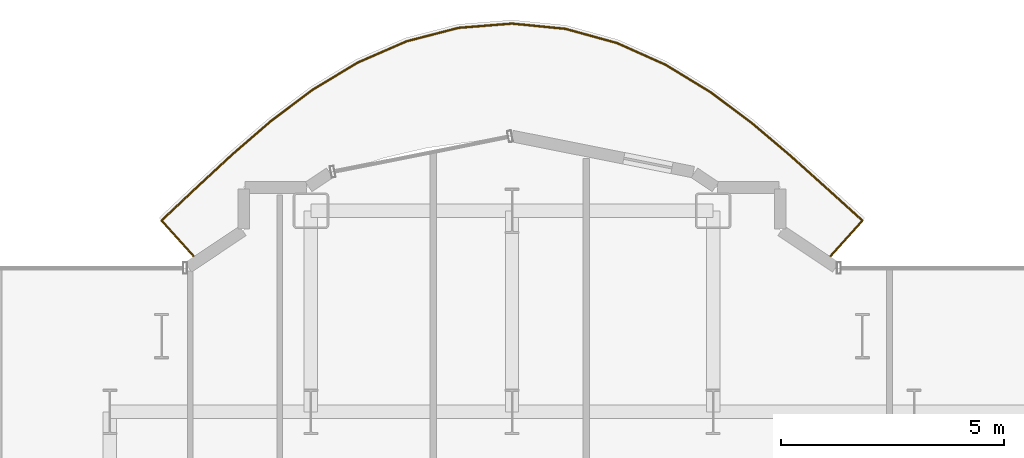
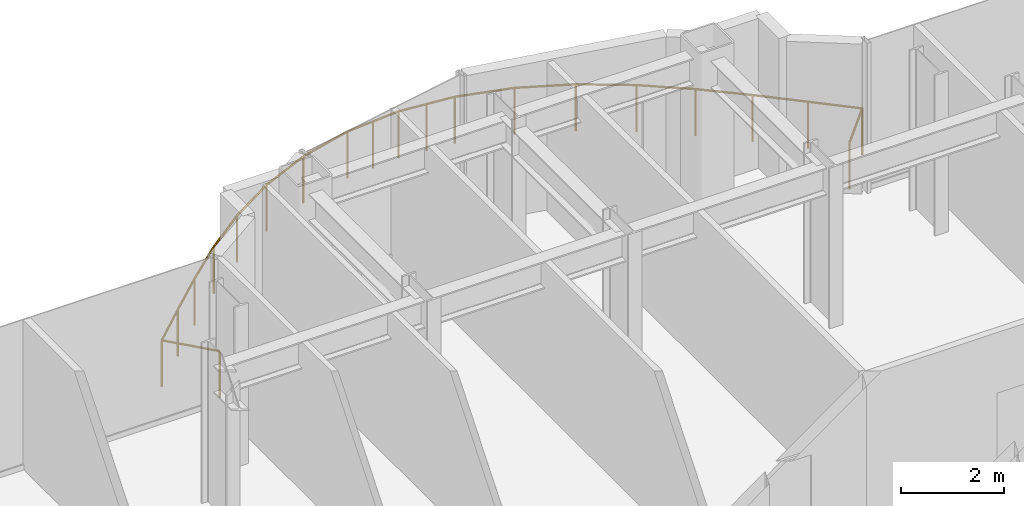
# One storey, part 29 of 29: 1 railing.
"""IFC4 building model written with IfcOpenShell, lengths in metres."""

from ifc_helpers import new_model, si_unit, direction, frame, origin, origin_2d, place, context, subcontext, project, spatial, circle, extrude, material, type_object, element, save


model = new_model("IFC4")

# Units and contexts
model_context = context("Model", 3, precision=1e-05, world=origin(), true_north=direction((0.0, 1.0)))
body_context = subcontext(model_context, "Body", "Model", "MODEL_VIEW")
ifc_project = project(units=[si_unit("LENGTHUNIT", "METRE"), si_unit("AREAUNIT", "SQUARE_METRE"), si_unit("VOLUMEUNIT", "CUBIC_METRE"), si_unit("PLANEANGLEUNIT", "RADIAN"), si_unit("MASSUNIT", "GRAM", prefix="KILO")], contexts=[model_context])

# Site, building, storey
site_placement = place(None, origin())
site = spatial("IfcSite", under=ifc_project, at=site_placement, CompositionType="ELEMENT")
building_placement = place(site_placement, origin())
building = spatial("IfcBuilding", under=site, at=building_placement, Name="Nefas-Gora Pilgrimage Tower", CompositionType="ELEMENT")
storey_placement = place(building_placement, frame((0.0, 0.0, 113.60009765625)))
storey = spatial("IfcBuildingStorey", under=building, at=storey_placement, Name="L27", CompositionType="ELEMENT", Elevation=113.60009765625)

# Railing
ifc_material = material(Name="Laminated safety glass and stainless steel", Category="steel")
railing_type = type_object("IfcRailingType", Name="RLG-BAL-1100", PredefinedType="BALUSTRADE", material=ifc_material)
railing_placement = place(storey_placement, frame((4.802490234375, 21.402587890625, 0.0)))
element("IfcRailing", 1, at=railing_placement, inside=storey, type_object=railing_type, Name="L27 Wave Balcony Balustrade N1", PredefinedType="BALUSTRADE", context=body_context, shape_type="SweptSolid", body=[
    extrude(circle(Radius=0.02392578125, at=origin_2d()), frame((0.0, 0.0, 1.09619140625), z_axis=(0.669113274241, 0.74316043102, 0.0), x_axis=(-0.74316043102, 0.669113274241, 0.0)), (0.0, 0.0, 1.0), 1.180419921875),
    extrude(circle(Radius=0.02392578125, at=origin_2d()), frame((0.789794921875, 0.877197265625, 1.09619140625), z_axis=(-0.741691494507, 0.670741177337, 0.0), x_axis=(-0.670741177337, -0.741691494507, 0.0)), (0.0, 0.0, 1.0), 1.0771484375),
    extrude(circle(Radius=0.02392578125, at=origin_2d()), frame((-0.009033203125, 1.599609375, 1.09619140625), z_axis=(-0.744512131343, 0.667608932147, 0.0), x_axis=(-0.667608932147, -0.744512131343, 0.0)), (0.0, 0.0, 1.0), 1.09521484375),
    extrude(circle(Radius=0.02392578125, at=origin_2d()), frame((-0.824462890625, 2.330810546875, 1.09619140625), z_axis=(-0.763015425676, 0.64638027521, 0.0), x_axis=(-0.64638027521, -0.763015425676, 0.0)), (0.0, 0.0, 1.0), 1.1240234375),
    extrude(circle(Radius=0.02392578125, at=origin_2d()), frame((-1.68212890625, 3.057373046875, 1.09619140625), z_axis=(-0.800735220579, 0.599018452574, 0.0), x_axis=(-0.599018452574, -0.800735220579, 0.0)), (0.0, 0.0, 1.0), 1.154541015625),
    extrude(circle(Radius=0.02392578125, at=origin_2d()), frame((-2.606689453125, 3.7490234375, 1.09619140625), z_axis=(-0.853742280901, 0.520695801598, 0.0), x_axis=(-0.520695801598, -0.853742280901, 0.0)), (0.0, 0.0, 1.0), 1.1787109375),
    extrude(circle(Radius=0.02392578125, at=origin_2d()), frame((-3.613037109375, 4.36279296875, 1.09619140625), z_axis=(-0.912533024613, 0.409003030539, 0.0), x_axis=(-0.409003030539, -0.912533024613, 0.0)), (0.0, 0.0, 1.0), 1.193115234375),
    extrude(circle(Radius=0.02392578125, at=origin_2d()), frame((-4.701904296875, 4.850830078125, 1.09619140625), z_axis=(-0.964107720996, 0.265511397715, 0.0), x_axis=(-0.265511397715, -0.964107720996, 0.0)), (0.0, 0.0, 1.0), 1.198974609375),
    extrude(circle(Radius=0.02392578125, at=origin_2d()), frame((-5.85791015625, 5.169189453125, 1.09619140625), z_axis=(-0.99518310835, 0.098033570044, 0.0), x_axis=(-0.098033570044, -0.99518310835, 0.0)), (0.0, 0.0, 1.0), 1.200439453125),
    extrude(circle(Radius=0.02392578125, at=origin_2d()), frame((-7.052490234375, 5.286865234375, 1.09619140625), z_axis=(-0.996817864329, -0.079712893272, 0.0), x_axis=(0.079712893272, -0.996817864329, 0.0)), (0.0, 0.0, 1.0), 1.20068359375),
    extrude(circle(Radius=0.02392578125, at=origin_2d()), frame((-8.249267578125, 5.191162109375, 1.09619140625), z_axis=(-0.96811032682, -0.250524240554, 0.0), x_axis=(0.250524240554, -0.96811032682, 0.0)), (0.0, 0.0, 1.0), 1.19970703125),
    extrude(circle(Radius=0.02392578125, at=origin_2d()), frame((-9.41064453125, 4.890625, 1.09619140625), z_axis=(-0.917018073476, -0.398845650496, 0.0), x_axis=(0.398845650496, -0.917018073476, 0.0)), (0.0, 0.0, 1.0), 1.19482421875),
    extrude(circle(Radius=0.02392578125, at=origin_2d()), frame((-10.50634765625, 4.4140625, 1.09619140625), z_axis=(-0.856288410146, -0.516497975455, 0.0), x_axis=(0.516497975455, -0.856288410146, 0.0)), (0.0, 0.0, 1.0), 1.1826171875),
    extrude(circle(Radius=0.02392578125, at=origin_2d()), frame((-11.51904296875, 3.80322265625, 1.09619140625), z_axis=(-0.799393735848, -0.600807502522, 0.0), x_axis=(0.600807502522, -0.799393735848, 0.0)), (0.0, 0.0, 1.0), 1.16064453125),
    extrude(circle(Radius=0.02392578125, at=origin_2d()), frame((-12.44677734375, 3.10595703125, 1.09619140625), z_axis=(-0.756920087297, -0.653507445593, 0.0), x_axis=(0.653507445593, -0.756920087297, 0.0)), (0.0, 0.0, 1.0), 1.130859375),
    extrude(circle(Radius=0.02392578125, at=origin_2d()), frame((-13.302734375, 2.366943359375, 1.09619140625), z_axis=(-0.733756578496, -0.679412454635, 0.0), x_axis=(0.679412454635, -0.733756578496, 0.0)), (0.0, 0.0, 1.0), 1.1005859375),
    extrude(circle(Radius=0.02392578125, at=origin_2d()), frame((-14.1103515625, 1.619140625, 1.09619140625), z_axis=(-0.727934382881, -0.685646799905, 0.0), x_axis=(0.685646799905, -0.727934382881, 0.0)), (0.0, 0.0, 1.0), 1.07958984375),
    extrude(circle(Radius=0.02392578125, at=origin_2d()), frame((-14.896240234375, 0.87890625, 1.09619140625), z_axis=(0.669078780144, -0.743191486739, 0.0), x_axis=(0.743191486739, 0.669078780144, 0.0)), (0.0, 0.0, 1.0), 1.1826171875),
    extrude(circle(Radius=0.02099609375, at=origin_2d()), origin(), (0.0, 0.0, 1.0), 1.072021484375),
    extrude(circle(Radius=0.02099609375, at=origin_2d()), frame((0.789794921875, 0.877197265625, 0.0)), (0.0, 0.0, 1.0), 1.072021484375),
    extrude(circle(Radius=0.02099609375, at=origin_2d()), frame((-0.009033203125, 1.599609375, 0.0)), (0.0, 0.0, 1.0), 1.072021484375),
    extrude(circle(Radius=0.02099609375, at=origin_2d()), frame((-0.824462890625, 2.330810546875, 0.0)), (0.0, 0.0, 1.0), 1.072021484375),
    extrude(circle(Radius=0.02099609375, at=origin_2d()), frame((-1.68212890625, 3.057373046875, 0.0)), (0.0, 0.0, 1.0), 1.072021484375),
    extrude(circle(Radius=0.02099609375, at=origin_2d()), frame((-2.606689453125, 3.7490234375, 0.0)), (0.0, 0.0, 1.0), 1.072021484375),
    extrude(circle(Radius=0.02099609375, at=origin_2d()), frame((-3.613037109375, 4.36279296875, 0.0)), (0.0, 0.0, 1.0), 1.072021484375),
    extrude(circle(Radius=0.02099609375, at=origin_2d()), frame((-4.701904296875, 4.850830078125, 0.0)), (0.0, 0.0, 1.0), 1.072021484375),
    extrude(circle(Radius=0.02099609375, at=origin_2d()), frame((-5.85791015625, 5.169189453125, 0.0)), (0.0, 0.0, 1.0), 1.072021484375),
    extrude(circle(Radius=0.02099609375, at=origin_2d()), frame((-6.455078125, 5.22802734375, 0.0)), (0.0, 0.0, 1.0), 1.072021484375),
    extrude(circle(Radius=0.02099609375, at=origin_2d()), frame((-7.052490234375, 5.286865234375, 0.0)), (0.0, 0.0, 1.0), 1.072021484375),
    extrude(circle(Radius=0.02099609375, at=origin_2d()), frame((-7.65087890625, 5.239013671875, 0.0)), (0.0, 0.0, 1.0), 1.072021484375),
    extrude(circle(Radius=0.02099609375, at=origin_2d()), frame((-8.249267578125, 5.191162109375, 0.0)), (0.0, 0.0, 1.0), 1.072021484375),
    extrude(circle(Radius=0.02099609375, at=origin_2d()), frame((-9.41064453125, 4.890625, 0.0)), (0.0, 0.0, 1.0), 1.072021484375),
    extrude(circle(Radius=0.02099609375, at=origin_2d()), frame((-10.50634765625, 4.4140625, 0.0)), (0.0, 0.0, 1.0), 1.072021484375),
    extrude(circle(Radius=0.02099609375, at=origin_2d()), frame((-11.51904296875, 3.80322265625, 0.0)), (0.0, 0.0, 1.0), 1.072021484375),
    extrude(circle(Radius=0.02099609375, at=origin_2d()), frame((-12.44677734375, 3.10595703125, 0.0)), (0.0, 0.0, 1.0), 1.072021484375),
    extrude(circle(Radius=0.02099609375, at=origin_2d()), frame((-13.302734375, 2.366943359375, 0.0)), (0.0, 0.0, 1.0), 1.072021484375),
    extrude(circle(Radius=0.02099609375, at=origin_2d()), frame((-14.1103515625, 1.619140625, 0.0)), (0.0, 0.0, 1.0), 1.072021484375),
    extrude(circle(Radius=0.02099609375, at=origin_2d()), frame((-14.896240234375, 0.87890625, 0.0)), (0.0, 0.0, 1.0), 1.072021484375),
    extrude(circle(Radius=0.02099609375, at=origin_2d()), frame((-14.10498046875, 0.0, 0.0)), (0.0, 0.0, 1.0), 1.072021484375),
])

save(model, "model.ifc")
